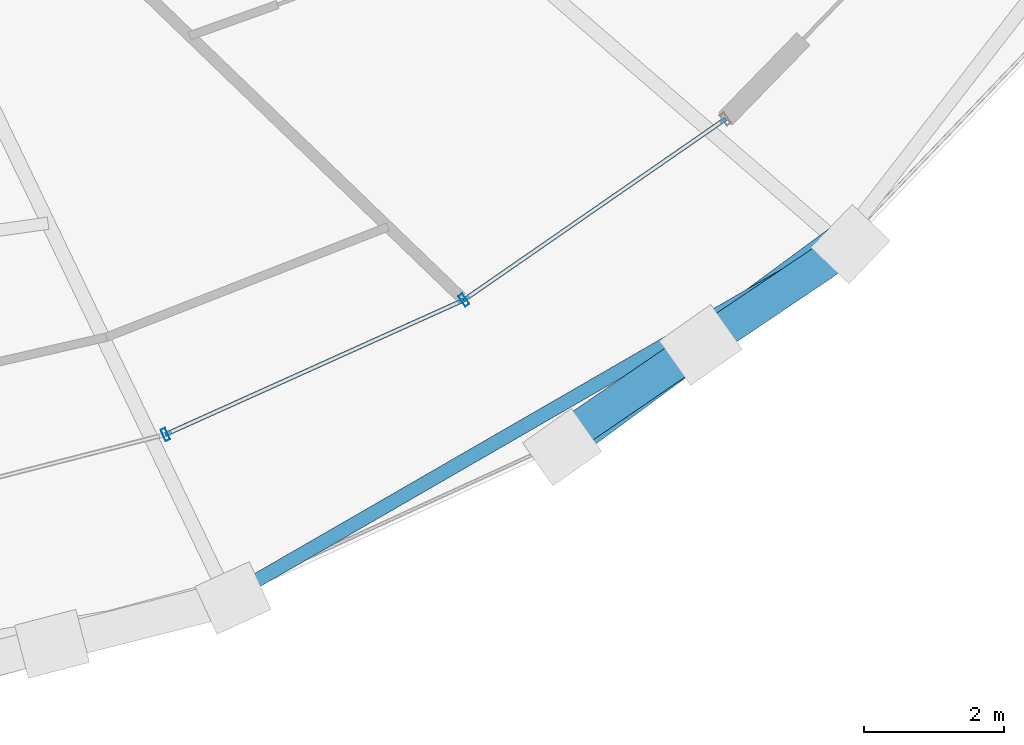
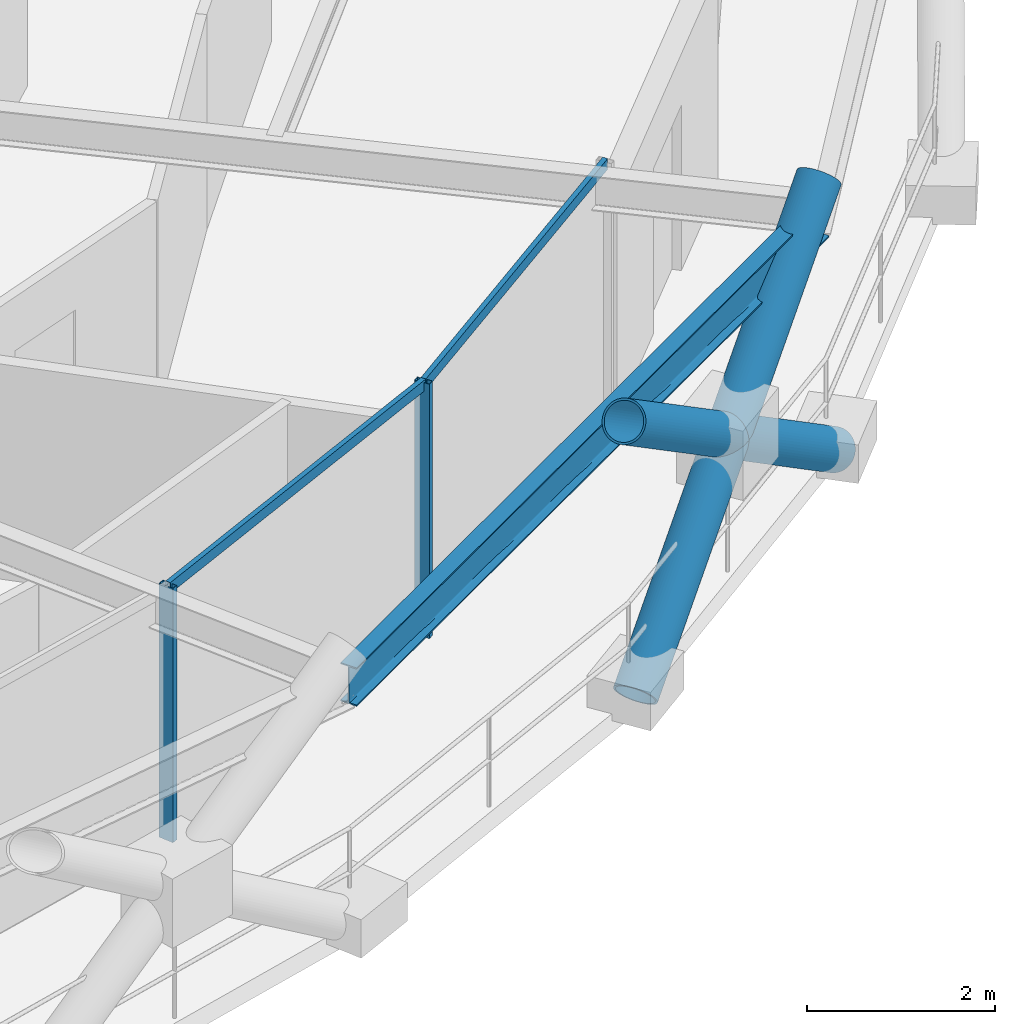
# One storey, part 4 of 16: 7 members, 1 beam, 1 element without a shape of its own.
"""IFC4 building model written with IfcOpenShell, lengths in metres."""

from ifc_helpers import new_model, si_unit, direction, frame, origin, origin_2d, place, context, subcontext, project, spatial, hollow_rectangle, hollow_circle, i_section, extrude, material, layer, layer_set, material_profile, profile_set, type_object, element, aggregate, save


model = new_model("IFC4")

# Units and contexts
model_context = context("Model", 3, precision=1e-05, world=origin(), true_north=direction((0.0, 1.0)))
body_context = subcontext(model_context, "Body", "Model", "MODEL_VIEW")
ifc_project = project(units=[si_unit("LENGTHUNIT", "METRE"), si_unit("AREAUNIT", "SQUARE_METRE"), si_unit("VOLUMEUNIT", "CUBIC_METRE"), si_unit("PLANEANGLEUNIT", "RADIAN"), si_unit("MASSUNIT", "GRAM", prefix="KILO")], contexts=[model_context])

# Site, building, storey
site_placement = place(None, origin())
site = spatial("IfcSite", under=ifc_project, at=site_placement, CompositionType="ELEMENT")
building_placement = place(site_placement, origin())
building = spatial("IfcBuilding", under=site, at=building_placement, Name="Veldorina Hangang Commons", CompositionType="ELEMENT")
storey_placement = place(building_placement, frame((0.0, 0.0, 189.199951171875)))
storey = spatial("IfcBuildingStorey", under=building, at=storey_placement, Name="L49", CompositionType="ELEMENT", Elevation=189.199951171875)

# Beam
ifc_material_1 = material(Name="Steel SM420-TMC", Category="steel")
ifc_material_profile_1 = material_profile(ifc_material_1, i_section(OverallWidth=0.199951171875, OverallDepth=0.5, WebThickness=0.010009765625, FlangeThickness=0.01611328125, FilletRadius=0.01611328125, at=origin_2d()), Name="H-500x200x10x16")
ifc_profile_set_1 = profile_set([ifc_material_profile_1], Name="Steel SM420-TMC")
beam_type = type_object("IfcBeamType", Name="BM-RB500", PredefinedType="BEAM", material=ifc_profile_set_1)
beam_placement = place(storey_placement, frame((42.2919921875, 2.528076171875, 3.10009765625), z_axis=(0.865991473684, 0.500058764053, 0.0), x_axis=(-0.500058764053, 0.865991473684, 0.0)))
element("IfcBeam", 1, at=beam_placement, inside=storey, type_object=beam_type, Name="L49 perimeter hoop ring beam 26", PredefinedType="BEAM", context=body_context, shape_type="SweptSolid", body=[
    extrude(i_section(OverallWidth=0.199951171875, OverallDepth=0.5, WebThickness=0.010009765625, FlangeThickness=0.01611328125, FilletRadius=0.01611328125, at=origin_2d()), origin(), (0.0, 0.0, 1.0), 10.074951171875),
])

# Curtain wall, members
ifc_material_2 = material(Name="Glass Low-E Triple IGU", Category="glass")
ifc_layer = layer(ifc_material_2, 0.179931640625)
ifc_layer_set = layer_set([ifc_layer], Name="Glass Low-E Triple IGU")
curtain_wall_type = type_object("IfcCurtainWallType", Name="CW-SYS-Z2", PredefinedType="NOTDEFINED", material=ifc_layer_set)
curtain_wall_placement = place(storey_placement, origin())
curtain_wall = element("IfcCurtainWall", 2, at=curtain_wall_placement, inside=storey, type_object=curtain_wall_type, Name="L49 unitised curtain wall CW-L49-R1", PredefinedType="NOTDEFINED")
ifc_material_3 = material(Name="Aluminium Anodized AA6063-T6", Category="aluminium")
ifc_material_profile_2 = material_profile(ifc_material_3, hollow_rectangle(XDim=0.070068359375, YDim=0.179931640625, WallThickness=0.00390625, at=origin_2d()), Name="ALU-RHS-180x70x4")
ifc_profile_set_2 = profile_set([ifc_material_profile_2], Name="Aluminium Anodized AA6063-T6")
member_type_1 = type_object("IfcMemberType", Name="CW-MUL-180", PredefinedType="MULLION", material=ifc_profile_set_2)
member_1_placement = place(storey_placement, frame((41.407958984375, 4.8466796875, 0.0), z_axis=(0.0, 0.0, 1.0), x_axis=(0.911668830957, 0.410925714285, 0.0)))
member_1 = element("IfcMember", 3, at=member_1_placement, type_object=member_type_1, Name="CW-L49-R1 vertical mullion 2", PredefinedType="MULLION", context=body_context, shape_type="SweptSolid", body=[
    extrude(hollow_rectangle(XDim=0.070068359375, YDim=0.179931640625, WallThickness=0.00390625, at=origin_2d()), origin(), (0.0, 0.0, 1.0), 3.31005859375),
])
member_2_placement = place(storey_placement, frame((45.658203125, 6.762451171875, 0.0), z_axis=(0.0, 0.0, 1.0), x_axis=(0.822283117715, 0.569078618752, 0.0)))
member_2 = element("IfcMember", 4, at=member_2_placement, type_object=member_type_1, Name="CW-L49-R1 vertical mullion 3", PredefinedType="MULLION", context=body_context, shape_type="SweptSolid", body=[
    extrude(hollow_rectangle(XDim=0.070068359375, YDim=0.179931640625, WallThickness=0.00390625, at=origin_2d()), origin(), (0.0, 0.0, 1.0), 3.31005859375),
])
ifc_material_profile_3 = material_profile(ifc_material_3, hollow_rectangle(XDim=0.06005859375, YDim=0.139892578125, WallThickness=0.00341796875, at=origin_2d()), Name="ALU-RHS-140x60x3.5")
ifc_profile_set_3 = profile_set([ifc_material_profile_3], Name="Aluminium Anodized AA6063-T6")
member_type_2 = type_object("IfcMemberType", Name="CW-TRN-140", PredefinedType="USERDEFINED", material=ifc_profile_set_3)
member_3_placement = place(storey_placement, frame((41.407958984375, 4.8466796875, 3.27001953125), z_axis=(0.911667549344, 0.410928557626, 0.0), x_axis=(-0.410928557626, 0.911667549344, 0.0)))
member_3 = element("IfcMember", 5, at=member_3_placement, type_object=member_type_2, Name="CW-L49-R1 facet 3 transom 1", ObjectType="TRANSOM", PredefinedType="USERDEFINED", context=body_context, shape_type="SweptSolid", body=[
    extrude(hollow_rectangle(XDim=0.06005859375, YDim=0.139892578125, WallThickness=0.00341796875, at=origin_2d()), origin(), (0.0, 0.0, 1.0), 4.662109375),
])
member_4_placement = place(storey_placement, frame((45.658203125, 6.762451171875, 3.27001953125), z_axis=(0.822291119291, 0.5690670568, 0.0), x_axis=(-0.5690670568, 0.822291119291, 0.0)))
member_4 = element("IfcMember", 6, at=member_4_placement, type_object=member_type_2, Name="CW-L49-R1 facet 4 transom 1", ObjectType="TRANSOM", PredefinedType="USERDEFINED", context=body_context, shape_type="SweptSolid", body=[
    extrude(hollow_rectangle(XDim=0.06005859375, YDim=0.139892578125, WallThickness=0.00341796875, at=origin_2d()), origin(), (0.0, 0.0, 1.0), 4.530517578125),
])
aggregate(curtain_wall, [member_1, member_2, member_3, member_4])

# Members
ifc_material_profile_4 = material_profile(ifc_material_1, hollow_circle(Radius=0.25, WallThickness=0.02490234375, at=origin_2d()), Name="CHS-500x25")
ifc_profile_set_4 = profile_set([ifc_material_profile_4], Name="Steel SM420-TMC")
member_type_3 = type_object("IfcMemberType", Name="DG-CHS500", PredefinedType="BRACE", material=ifc_profile_set_4)
member_5_placement = place(storey_placement, frame((47.05810546875, 4.6669921875, 0.0), z_axis=(0.648144331787, 0.477753593202, 0.593009636814), x_axis=(-0.593338729797, 0.80495288789, 0.0)))
element("IfcMember", 7, at=member_5_placement, inside=storey, type_object=member_type_3, Name="L49 continuous perimeter diagrid brace 27", PredefinedType="BRACE", context=body_context, shape_type="SweptSolid", body=[
    extrude(hollow_circle(Radius=0.25, WallThickness=0.02490234375, at=origin_2d()), origin(), (0.0, 0.0, 1.0), 6.07080078125),
])
member_6_placement = place(storey_placement, frame((51.16552734375, 7.55859375, 0.0), z_axis=(-0.67894279169, -0.457185364591, 0.574472129887), x_axis=(0.558548417583, -0.829471919486, 0.0)))
element("IfcMember", 8, at=member_6_placement, inside=storey, type_object=member_type_3, Name="L49 split perimeter diagrid lower brace 28", PredefinedType="BRACE", context=body_context, shape_type="SweptSolid", body=[
    extrude(hollow_circle(Radius=0.25, WallThickness=0.02490234375, at=origin_2d()), origin(), (0.0, 0.0, 1.0), 3.14306640625),
])
member_7_placement = place(storey_placement, frame((49.031494140625, 6.12158203125, 1.8056640625), z_axis=(-0.675238620819, -0.46253611014, 0.574554742188), x_axis=(0.565125517834, -0.825004938829, 0.0)))
element("IfcMember", 9, at=member_7_placement, inside=storey, type_object=member_type_3, Name="L49 split perimeter diagrid upper brace 28", PredefinedType="BRACE", context=body_context, shape_type="SweptSolid", body=[
    extrude(hollow_circle(Radius=0.25, WallThickness=0.02490234375, at=origin_2d()), origin(), (0.0, 0.0, 1.0), 3.123291015625),
])

save(model, "model.ifc")
